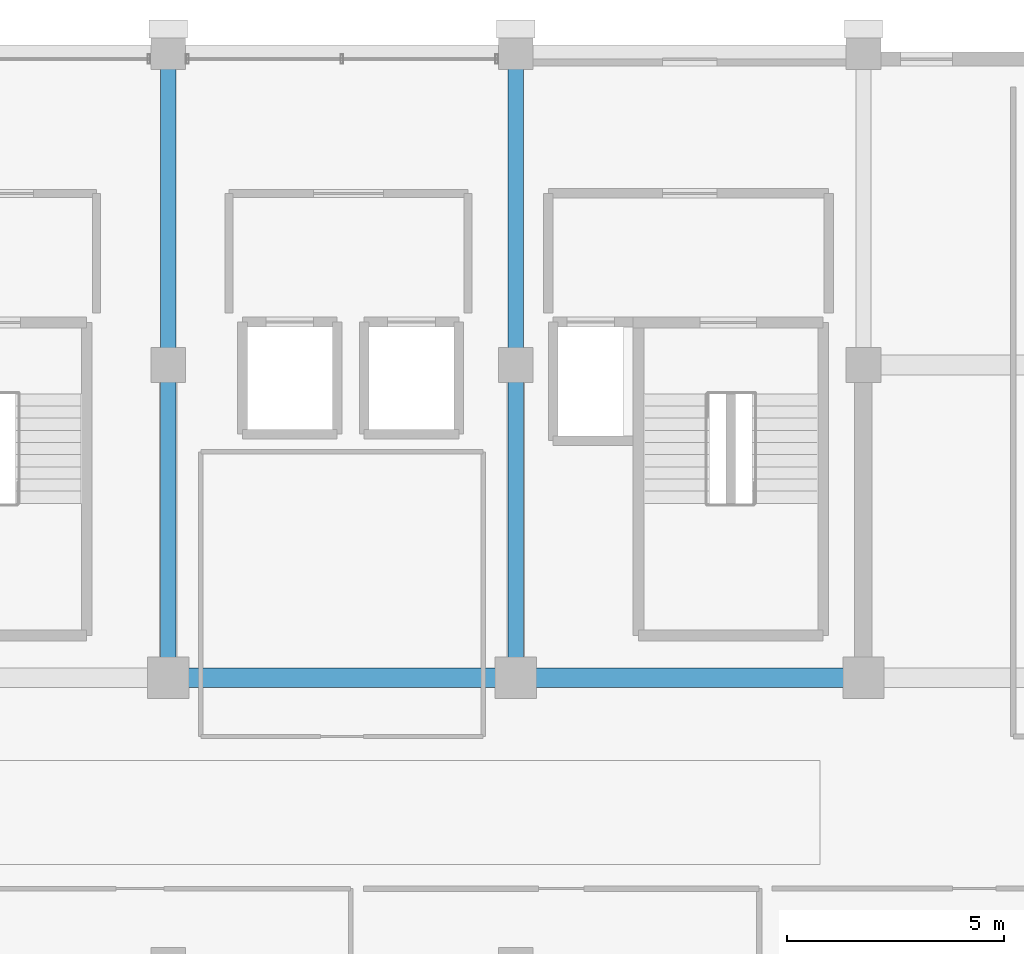
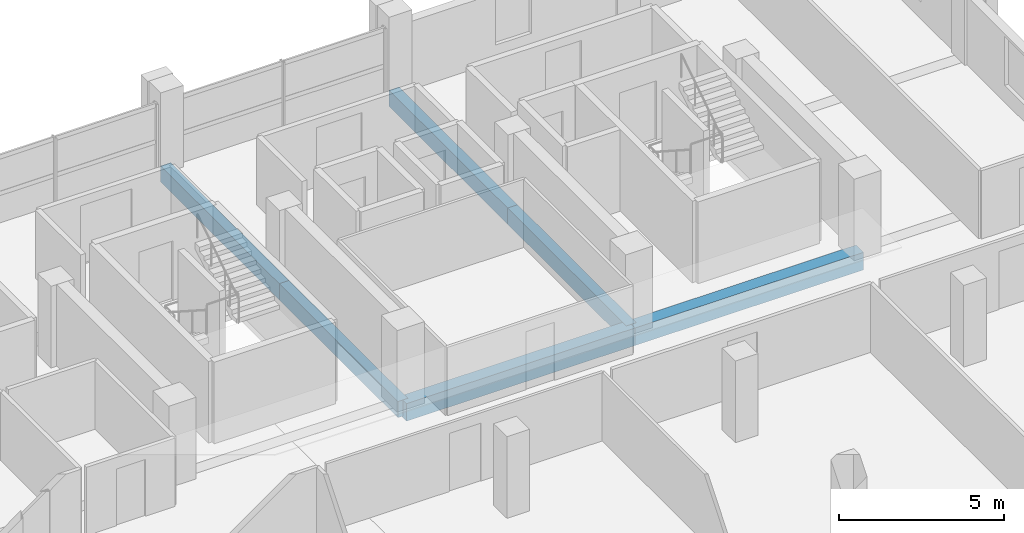
# One storey, part 15 of 23: 6 beams.
"""IFC4 building model written with IfcOpenShell, lengths in metres."""

from ifc_helpers import new_model, si_unit, direction, frame, origin, origin_2d, place, context, subcontext, project, spatial, rectangle, extrude, material, material_profile, profile_set, type_object, element, save


model = new_model("IFC4")

# Units and contexts
model_context = context("Model", 3, precision=1e-05, world=origin(), true_north=direction((0.0, 1.0)))
body_context = subcontext(model_context, "Body", "Model", "MODEL_VIEW")
ifc_project = project(units=[si_unit("LENGTHUNIT", "METRE"), si_unit("AREAUNIT", "SQUARE_METRE"), si_unit("VOLUMEUNIT", "CUBIC_METRE"), si_unit("PLANEANGLEUNIT", "RADIAN"), si_unit("MASSUNIT", "GRAM", prefix="KILO")], contexts=[model_context])

# Site, building, storey
site_placement = place(None, origin())
site = spatial("IfcSite", under=ifc_project, at=site_placement, CompositionType="ELEMENT")
building_placement = place(site_placement, origin())
building = spatial("IfcBuilding", under=site, at=building_placement, Name="Akrevak Sports Hall", CompositionType="ELEMENT")
storey_placement = place(building_placement, frame((0.0, 0.0, 47.050048828125)))
storey = spatial("IfcBuildingStorey", under=building, at=storey_placement, Name="L11", CompositionType="ELEMENT", Elevation=47.050048828125)

# Beams
ifc_material = material(Name="Concrete C40/50", Category="concrete")
ifc_material_profile_1 = material_profile(ifc_material, rectangle(XDim=0.35009765625, YDim=0.60009765625, at=origin_2d()), Name="BM 350x600", Category="concrete")
ifc_profile_set_1 = profile_set([ifc_material_profile_1], Name="Concrete C40/50")
beam_type_1 = type_object("IfcBeamType", Name="STR-BM-RC350x600", PredefinedType="BEAM", material=ifc_profile_set_1)
beam_1_placement = place(storey_placement, frame((84.0, 55.199951171875, -0.300048828125), z_axis=(0.0, 1.0, 0.0), x_axis=(-1.0, 0.0, 0.0)))
element("IfcBeam", 1, at=beam_1_placement, inside=storey, type_object=beam_type_1, Name="Girder 12/I-J (L11)", PredefinedType="BEAM", context=body_context, shape_type="SweptSolid", body=[
    extrude(rectangle(XDim=0.35009765625, YDim=0.60009765625, at=origin_2d()), origin(), (0.0, 0.0, 1.0), 7.199951171875),
])
beam_2_placement = place(storey_placement, frame((84.0, 62.39990234375, -0.300048828125), z_axis=(0.0, 1.0, 0.0), x_axis=(-1.0, 0.0, 0.0)))
element("IfcBeam", 2, at=beam_2_placement, inside=storey, type_object=beam_type_1, Name="Girder 12/J-K (L11)", PredefinedType="BEAM", context=body_context, shape_type="SweptSolid", body=[
    extrude(rectangle(XDim=0.35009765625, YDim=0.60009765625, at=origin_2d()), origin(), (0.0, 0.0, 1.0), 7.2001953125),
])
beam_3_placement = place(storey_placement, frame((92.0, 55.199951171875, -0.300048828125), z_axis=(0.0, 1.0, 0.0), x_axis=(-1.0, 0.0, 0.0)))
element("IfcBeam", 3, at=beam_3_placement, inside=storey, type_object=beam_type_1, Name="Girder 13/I-J (L11)", PredefinedType="BEAM", context=body_context, shape_type="SweptSolid", body=[
    extrude(rectangle(XDim=0.35009765625, YDim=0.60009765625, at=origin_2d()), origin(), (0.0, 0.0, 1.0), 7.199951171875),
])
beam_4_placement = place(storey_placement, frame((92.0, 62.39990234375, -0.300048828125), z_axis=(0.0, 1.0, 0.0), x_axis=(-1.0, 0.0, 0.0)))
element("IfcBeam", 4, at=beam_4_placement, inside=storey, type_object=beam_type_1, Name="Girder 13/J-K (L11)", PredefinedType="BEAM", context=body_context, shape_type="SweptSolid", body=[
    extrude(rectangle(XDim=0.35009765625, YDim=0.60009765625, at=origin_2d()), origin(), (0.0, 0.0, 1.0), 7.2001953125),
])
ifc_material_profile_2 = material_profile(ifc_material, rectangle(XDim=0.449951171875, YDim=0.64990234375, at=origin_2d()), Name="BM 450x650", Category="concrete")
ifc_profile_set_2 = profile_set([ifc_material_profile_2], Name="Concrete C40/50")
beam_type_2 = type_object("IfcBeamType", Name="STR-BM-RC450x650", PredefinedType="BEAM", material=ifc_profile_set_2)
for number, where, z_axis, x_axis, name in (
    (5, (84.0, 55.199951171875, -0.324951171875), (1.0, 0.0, 0.0), (0.0, 1.0, 0.0), "Girder I/12-13 (L11)"),
    (6, (92.0, 55.199951171875, -0.324951171875), (1.0, 0.0, 0.0), (0.0, 1.0, 0.0), "Girder I/13-14 (L11)"),
):
    element("IfcBeam", number, at=place(storey_placement, frame(where, z_axis=z_axis, x_axis=x_axis)), inside=storey, type_object=beam_type_2, Name=name, PredefinedType="BEAM", context=body_context, shape_type="SweptSolid", body=[
        extrude(rectangle(XDim=0.449951171875, YDim=0.64990234375, at=origin_2d()), origin(), (0.0, 0.0, 1.0), 8.0),
    ])

save(model, "model.ifc")
